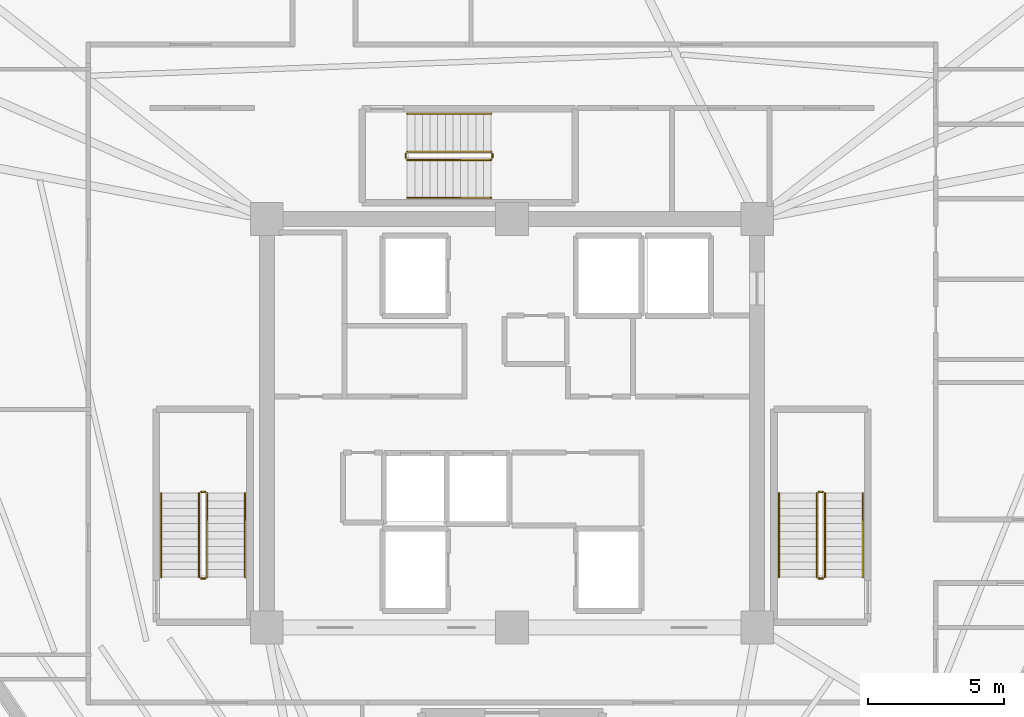
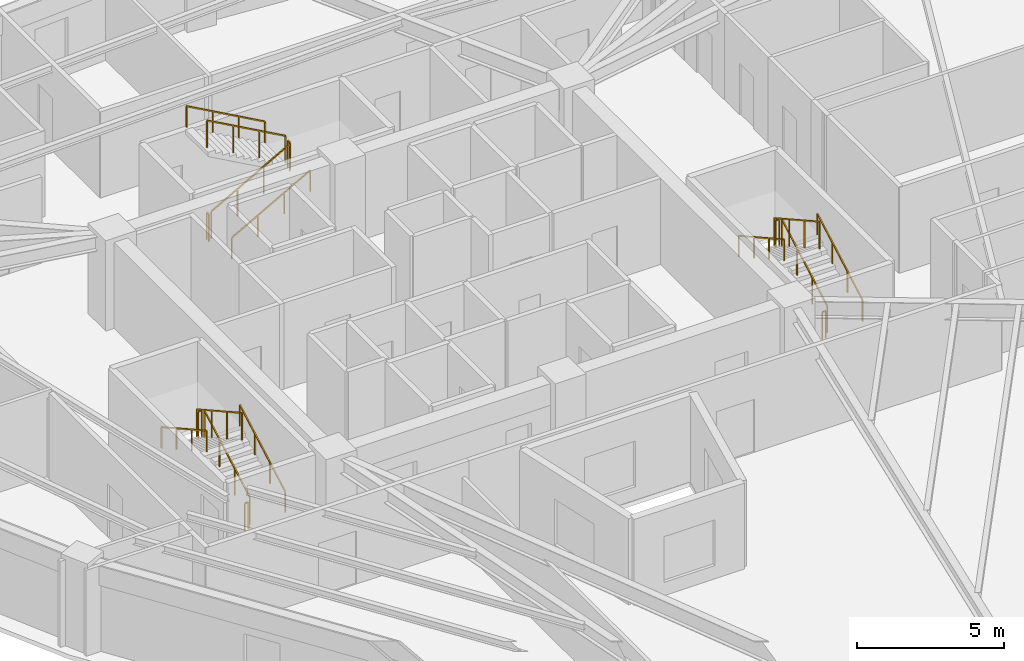
# One storey, part 8 of 8: 18 railings.
"""IFC4 building model written with IfcOpenShell, lengths in metres."""

from ifc_helpers import new_model, si_unit, direction, frame, origin, origin_2d, place, context, subcontext, project, spatial, rectangle, extrude, material, type_object, element, save


model = new_model("IFC4")

# Units and contexts
model_context = context("Model", 3, precision=1e-05, world=origin(), true_north=direction((0.0, 1.0)))
body_context = subcontext(model_context, "Body", "Model", "MODEL_VIEW")
ifc_project = project(units=[si_unit("LENGTHUNIT", "METRE"), si_unit("AREAUNIT", "SQUARE_METRE"), si_unit("VOLUMEUNIT", "CUBIC_METRE"), si_unit("PLANEANGLEUNIT", "RADIAN"), si_unit("MASSUNIT", "GRAM", prefix="KILO")], contexts=[model_context])

# Site, building, storey
site_placement = place(None, origin())
site = spatial("IfcSite", under=ifc_project, at=site_placement, CompositionType="ELEMENT")
building_placement = place(site_placement, origin())
building = spatial("IfcBuilding", under=site, at=building_placement, Name="Liaohun Quay Tower", CompositionType="ELEMENT")
storey_placement = place(building_placement, frame((0.0, 0.0, 343.5)))
storey = spatial("IfcBuildingStorey", under=building, at=storey_placement, Name="L89", CompositionType="ELEMENT", Elevation=343.5)

# Railings
ifc_material_1 = material(Name="Painted tubular steel", Category="steel")
railing_type_1 = type_object("IfcRailingType", Name="RLG-GUARD-STR", PredefinedType="GUARDRAIL", material=ifc_material_1)
railing_1_placement = place(storey_placement, frame((48.81005859375, 48.35009765625, 0.15625)))
element("IfcRailing", 1, at=railing_1_placement, inside=storey, type_object=railing_type_1, Name="L89 ST-1 stair guard 1", PredefinedType="GUARDRAIL", context=body_context, shape_type="SweptSolid", body=[
    extrude(rectangle(XDim=0.048095703125, YDim=0.048095703125, at=origin_2d()), frame((0.0, 0.0, 1.1259765625), z_axis=(0.0, 0.873225103656, 0.487317061414), x_axis=(-1.0, 0.0, 0.0)), (0.0, 0.0, 1.0), 3.52685546875),
    extrude(rectangle(XDim=0.0419921875, YDim=0.0419921875, at=origin_2d()), origin(), (0.0, 0.0, 1.0), 1.101806640625),
    extrude(rectangle(XDim=0.0419921875, YDim=0.0419921875, at=origin_2d()), frame((0.0, 1.026611328125, 0.572998046875)), (0.0, 0.0, 1.0), 1.101806640625),
    extrude(rectangle(XDim=0.0419921875, YDim=0.0419921875, at=origin_2d()), frame((0.0, 2.05322265625, 1.145751953125)), (0.0, 0.0, 1.0), 1.101806640625),
    extrude(rectangle(XDim=0.0419921875, YDim=0.0419921875, at=origin_2d()), frame((0.0, 3.079833984375, 1.71875)), (0.0, 0.0, 1.0), 1.101806640625),
])
railing_2_placement = place(storey_placement, frame((48.72998046875, 51.47998046875, 1.875)))
element("IfcRailing", 2, at=railing_2_placement, inside=storey, type_object=railing_type_1, Name="L89 ST-1 stair guard 2", PredefinedType="GUARDRAIL", context=body_context, shape_type="SweptSolid", body=[
    extrude(rectangle(XDim=0.048095703125, YDim=0.048095703125, at=origin_2d()), frame((0.0, 0.0, 1.1259765625), z_axis=(-1.0, 0.0, 0.0), x_axis=(0.0, -1.0, 0.0)), (0.0, 0.0, 1.0), 0.139892578125),
    extrude(rectangle(XDim=0.0419921875, YDim=0.0419921875, at=origin_2d()), origin(), (0.0, 0.0, 1.0), 1.101806640625),
    extrude(rectangle(XDim=0.0419921875, YDim=0.0419921875, at=origin_2d()), frame((-0.139892578125, 0.0, 0.0)), (0.0, 0.0, 1.0), 1.101806640625),
])
railing_3_placement = place(storey_placement, frame((48.510009765625, 51.429931640625, 2.03125)))
element("IfcRailing", 3, at=railing_3_placement, inside=storey, type_object=railing_type_1, Name="L89 ST-1 stair guard 3", PredefinedType="GUARDRAIL", context=body_context, shape_type="SweptSolid", body=[
    extrude(rectangle(XDim=0.048095703125, YDim=0.048095703125, at=origin_2d()), frame((0.0, 0.0, 1.1259765625), z_axis=(0.0, -0.873225103656, 0.487317061414), x_axis=(1.0, 0.0, 0.0)), (0.0, 0.0, 1.0), 3.52685546875),
    extrude(rectangle(XDim=0.0419921875, YDim=0.0419921875, at=origin_2d()), origin(), (0.0, 0.0, 1.0), 1.101806640625),
    extrude(rectangle(XDim=0.0419921875, YDim=0.0419921875, at=origin_2d()), frame((0.0, -1.026611328125, 0.572998046875)), (0.0, 0.0, 1.0), 1.101806640625),
    extrude(rectangle(XDim=0.0419921875, YDim=0.0419921875, at=origin_2d()), frame((0.0, -2.05322265625, 1.145751953125)), (0.0, 0.0, 1.0), 1.101806640625),
    extrude(rectangle(XDim=0.0419921875, YDim=0.0419921875, at=origin_2d()), frame((0.0, -3.079833984375, 1.71875)), (0.0, 0.0, 1.0), 1.101806640625),
])
railing_4_placement = place(storey_placement, frame((48.72998046875, 48.300048828125, 0.0)))
element("IfcRailing", 4, at=railing_4_placement, inside=storey, type_object=railing_type_1, Name="L89 ST-1 stair guard 4", PredefinedType="GUARDRAIL", context=body_context, shape_type="SweptSolid", body=[
    extrude(rectangle(XDim=0.048095703125, YDim=0.048095703125, at=origin_2d()), frame((0.0, 0.0, 1.1259765625), z_axis=(-1.0, 0.0, 0.0), x_axis=(0.0, -1.0, 0.0)), (0.0, 0.0, 1.0), 0.139892578125),
    extrude(rectangle(XDim=0.0419921875, YDim=0.0419921875, at=origin_2d()), origin(), (0.0, 0.0, 1.0), 1.101806640625),
    extrude(rectangle(XDim=0.0419921875, YDim=0.0419921875, at=origin_2d()), frame((-0.139892578125, 0.0, 0.0)), (0.0, 0.0, 1.0), 1.101806640625),
])
railing_5_placement = place(storey_placement, frame((71.489990234375, 48.35009765625, 0.15625)))
element("IfcRailing", 5, at=railing_5_placement, inside=storey, type_object=railing_type_1, Name="L89 ST-2 stair guard 1", PredefinedType="GUARDRAIL", context=body_context, shape_type="SweptSolid", body=[
    extrude(rectangle(XDim=0.048095703125, YDim=0.048095703125, at=origin_2d()), frame((0.0, 0.0, 1.1259765625), z_axis=(0.0, 0.873225103656, 0.487317061414), x_axis=(-1.0, 0.0, 0.0)), (0.0, 0.0, 1.0), 3.52685546875),
    extrude(rectangle(XDim=0.0419921875, YDim=0.0419921875, at=origin_2d()), origin(), (0.0, 0.0, 1.0), 1.101806640625),
    extrude(rectangle(XDim=0.0419921875, YDim=0.0419921875, at=origin_2d()), frame((0.0, 1.026611328125, 0.572998046875)), (0.0, 0.0, 1.0), 1.101806640625),
    extrude(rectangle(XDim=0.0419921875, YDim=0.0419921875, at=origin_2d()), frame((0.0, 2.05322265625, 1.145751953125)), (0.0, 0.0, 1.0), 1.101806640625),
    extrude(rectangle(XDim=0.0419921875, YDim=0.0419921875, at=origin_2d()), frame((0.0, 3.079833984375, 1.71875)), (0.0, 0.0, 1.0), 1.101806640625),
])
railing_6_placement = place(storey_placement, frame((71.409912109375, 51.47998046875, 1.875)))
element("IfcRailing", 6, at=railing_6_placement, inside=storey, type_object=railing_type_1, Name="L89 ST-2 stair guard 2", PredefinedType="GUARDRAIL", context=body_context, shape_type="SweptSolid", body=[
    extrude(rectangle(XDim=0.048095703125, YDim=0.048095703125, at=origin_2d()), frame((0.0, 0.0, 1.1259765625), z_axis=(-1.0, 0.0, 0.0), x_axis=(0.0, -1.0, 0.0)), (0.0, 0.0, 1.0), 0.139892578125),
    extrude(rectangle(XDim=0.0419921875, YDim=0.0419921875, at=origin_2d()), origin(), (0.0, 0.0, 1.0), 1.101806640625),
    extrude(rectangle(XDim=0.0419921875, YDim=0.0419921875, at=origin_2d()), frame((-0.139892578125, 0.0, 0.0)), (0.0, 0.0, 1.0), 1.101806640625),
])
railing_7_placement = place(storey_placement, frame((71.18994140625, 51.429931640625, 2.03125)))
element("IfcRailing", 7, at=railing_7_placement, inside=storey, type_object=railing_type_1, Name="L89 ST-2 stair guard 3", PredefinedType="GUARDRAIL", context=body_context, shape_type="SweptSolid", body=[
    extrude(rectangle(XDim=0.048095703125, YDim=0.048095703125, at=origin_2d()), frame((0.0, 0.0, 1.1259765625), z_axis=(0.0, -0.873225103656, 0.487317061414), x_axis=(1.0, 0.0, 0.0)), (0.0, 0.0, 1.0), 3.52685546875),
    extrude(rectangle(XDim=0.0419921875, YDim=0.0419921875, at=origin_2d()), origin(), (0.0, 0.0, 1.0), 1.101806640625),
    extrude(rectangle(XDim=0.0419921875, YDim=0.0419921875, at=origin_2d()), frame((0.0, -1.026611328125, 0.572998046875)), (0.0, 0.0, 1.0), 1.101806640625),
    extrude(rectangle(XDim=0.0419921875, YDim=0.0419921875, at=origin_2d()), frame((0.0, -2.05322265625, 1.145751953125)), (0.0, 0.0, 1.0), 1.101806640625),
    extrude(rectangle(XDim=0.0419921875, YDim=0.0419921875, at=origin_2d()), frame((0.0, -3.079833984375, 1.71875)), (0.0, 0.0, 1.0), 1.101806640625),
])
railing_8_placement = place(storey_placement, frame((71.409912109375, 48.300048828125, 0.0)))
element("IfcRailing", 8, at=railing_8_placement, inside=storey, type_object=railing_type_1, Name="L89 ST-2 stair guard 4", PredefinedType="GUARDRAIL", context=body_context, shape_type="SweptSolid", body=[
    extrude(rectangle(XDim=0.048095703125, YDim=0.048095703125, at=origin_2d()), frame((0.0, 0.0, 1.1259765625), z_axis=(-1.0, 0.0, 0.0), x_axis=(0.0, -1.0, 0.0)), (0.0, 0.0, 1.0), 0.139892578125),
    extrude(rectangle(XDim=0.0419921875, YDim=0.0419921875, at=origin_2d()), origin(), (0.0, 0.0, 1.0), 1.101806640625),
    extrude(rectangle(XDim=0.0419921875, YDim=0.0419921875, at=origin_2d()), frame((-0.139892578125, 0.0, 0.0)), (0.0, 0.0, 1.0), 1.101806640625),
])
railing_9_placement = place(storey_placement, frame((56.14990234375, 63.669921875, 0.15625)))
element("IfcRailing", 9, at=railing_9_placement, inside=storey, type_object=railing_type_1, Name="L89 ST-3 stair guard 1", PredefinedType="GUARDRAIL", context=body_context, shape_type="SweptSolid", body=[
    extrude(rectangle(XDim=0.048095703125, YDim=0.048095703125, at=origin_2d()), frame((0.0, 0.0, 1.1259765625), z_axis=(0.873241540666, 0.0, 0.487287606713), x_axis=(0.0, 1.0, 0.0)), (0.0, 0.0, 1.0), 3.527099609375),
    extrude(rectangle(XDim=0.0419921875, YDim=0.0419921875, at=origin_2d()), origin(), (0.0, 0.0, 1.0), 1.101806640625),
    extrude(rectangle(XDim=0.0419921875, YDim=0.0419921875, at=origin_2d()), frame((1.026611328125, 0.0, 0.572998046875)), (0.0, 0.0, 1.0), 1.101806640625),
    extrude(rectangle(XDim=0.0419921875, YDim=0.0419921875, at=origin_2d()), frame((2.053466796875, 0.0, 1.145751953125)), (0.0, 0.0, 1.0), 1.101806640625),
    extrude(rectangle(XDim=0.0419921875, YDim=0.0419921875, at=origin_2d()), frame((3.080078125, 0.0, 1.71875)), (0.0, 0.0, 1.0), 1.101806640625),
])
railing_10_placement = place(storey_placement, frame((59.280029296875, 63.75, 1.875)))
element("IfcRailing", 10, at=railing_10_placement, inside=storey, type_object=railing_type_1, Name="L89 ST-3 stair guard 2", PredefinedType="GUARDRAIL", context=body_context, shape_type="SweptSolid", body=[
    extrude(rectangle(XDim=0.048095703125, YDim=0.048095703125, at=origin_2d()), frame((0.0, 0.0, 1.1259765625), z_axis=(0.0, 1.0, 0.0), x_axis=(-1.0, 0.0, 0.0)), (0.0, 0.0, 1.0), 0.139892578125),
    extrude(rectangle(XDim=0.0419921875, YDim=0.0419921875, at=origin_2d()), origin(), (0.0, 0.0, 1.0), 1.101806640625),
    extrude(rectangle(XDim=0.0419921875, YDim=0.0419921875, at=origin_2d()), frame((0.0, 0.139892578125, 0.0)), (0.0, 0.0, 1.0), 1.101806640625),
])
railing_11_placement = place(storey_placement, frame((59.22998046875, 63.969970703125, 2.03125)))
element("IfcRailing", 11, at=railing_11_placement, inside=storey, type_object=railing_type_1, Name="L89 ST-3 stair guard 3", PredefinedType="GUARDRAIL", context=body_context, shape_type="SweptSolid", body=[
    extrude(rectangle(XDim=0.048095703125, YDim=0.048095703125, at=origin_2d()), frame((0.0, 0.0, 1.1259765625), z_axis=(-0.873241540666, 0.0, 0.487287606713), x_axis=(0.0, -1.0, 0.0)), (0.0, 0.0, 1.0), 3.527099609375),
    extrude(rectangle(XDim=0.0419921875, YDim=0.0419921875, at=origin_2d()), origin(), (0.0, 0.0, 1.0), 1.101806640625),
    extrude(rectangle(XDim=0.0419921875, YDim=0.0419921875, at=origin_2d()), frame((-1.026611328125, 0.0, 0.572998046875)), (0.0, 0.0, 1.0), 1.101806640625),
    extrude(rectangle(XDim=0.0419921875, YDim=0.0419921875, at=origin_2d()), frame((-2.053466796875, 0.0, 1.145751953125)), (0.0, 0.0, 1.0), 1.101806640625),
    extrude(rectangle(XDim=0.0419921875, YDim=0.0419921875, at=origin_2d()), frame((-3.080078125, 0.0, 1.71875)), (0.0, 0.0, 1.0), 1.101806640625),
])
railing_12_placement = place(storey_placement, frame((56.10009765625, 63.75, 0.0)))
element("IfcRailing", 12, at=railing_12_placement, inside=storey, type_object=railing_type_1, Name="L89 ST-3 stair guard 4", PredefinedType="GUARDRAIL", context=body_context, shape_type="SweptSolid", body=[
    extrude(rectangle(XDim=0.048095703125, YDim=0.048095703125, at=origin_2d()), frame((0.0, 0.0, 1.1259765625), z_axis=(0.0, 1.0, 0.0), x_axis=(-1.0, 0.0, 0.0)), (0.0, 0.0, 1.0), 0.139892578125),
    extrude(rectangle(XDim=0.0419921875, YDim=0.0419921875, at=origin_2d()), origin(), (0.0, 0.0, 1.0), 1.101806640625),
    extrude(rectangle(XDim=0.0419921875, YDim=0.0419921875, at=origin_2d()), frame((0.0, 0.139892578125, 0.0)), (0.0, 0.0, 1.0), 1.101806640625),
])
ifc_material_2 = material(Name="Brushed stainless steel", Category="steel")
railing_type_2 = type_object("IfcRailingType", Name="RLG-HND-STR", PredefinedType="HANDRAIL", material=ifc_material_2)
railing_13_placement = place(storey_placement, frame((50.199951171875, 48.35009765625, 0.15625)))
element("IfcRailing", 13, at=railing_13_placement, inside=storey, type_object=railing_type_2, Name="L89 ST-1 stair handrail 1", PredefinedType="HANDRAIL", context=body_context, shape_type="SweptSolid", body=[
    extrude(rectangle(XDim=0.048095703125, YDim=0.048095703125, at=origin_2d()), frame((0.0, 0.0, 0.8759765625), z_axis=(0.0, 0.873225103656, 0.487317061414), x_axis=(-1.0, 0.0, 0.0)), (0.0, 0.0, 1.0), 3.52685546875),
    extrude(rectangle(XDim=0.0419921875, YDim=0.0419921875, at=origin_2d()), origin(), (0.0, 0.0, 1.0), 0.851806640625),
    extrude(rectangle(XDim=0.0419921875, YDim=0.0419921875, at=origin_2d()), frame((0.0, 1.026611328125, 0.572998046875)), (0.0, 0.0, 1.0), 0.851806640625),
    extrude(rectangle(XDim=0.0419921875, YDim=0.0419921875, at=origin_2d()), frame((0.0, 2.05322265625, 1.145751953125)), (0.0, 0.0, 1.0), 0.851806640625),
    extrude(rectangle(XDim=0.0419921875, YDim=0.0419921875, at=origin_2d()), frame((0.0, 3.079833984375, 1.71875)), (0.0, 0.0, 1.0), 0.851806640625),
])
railing_14_placement = place(storey_placement, frame((47.1201171875, 51.429931640625, 2.03125)))
element("IfcRailing", 14, at=railing_14_placement, inside=storey, type_object=railing_type_2, Name="L89 ST-1 stair handrail 2", PredefinedType="HANDRAIL", context=body_context, shape_type="SweptSolid", body=[
    extrude(rectangle(XDim=0.048095703125, YDim=0.048095703125, at=origin_2d()), frame((0.0, 0.0, 0.8759765625), z_axis=(0.0, -0.873225103656, 0.487317061414), x_axis=(1.0, 0.0, 0.0)), (0.0, 0.0, 1.0), 3.52685546875),
    extrude(rectangle(XDim=0.0419921875, YDim=0.0419921875, at=origin_2d()), origin(), (0.0, 0.0, 1.0), 0.851806640625),
    extrude(rectangle(XDim=0.0419921875, YDim=0.0419921875, at=origin_2d()), frame((0.0, -1.026611328125, 0.572998046875)), (0.0, 0.0, 1.0), 0.851806640625),
    extrude(rectangle(XDim=0.0419921875, YDim=0.0419921875, at=origin_2d()), frame((0.0, -2.05322265625, 1.145751953125)), (0.0, 0.0, 1.0), 0.851806640625),
    extrude(rectangle(XDim=0.0419921875, YDim=0.0419921875, at=origin_2d()), frame((0.0, -3.079833984375, 1.71875)), (0.0, 0.0, 1.0), 0.851806640625),
])
railing_15_placement = place(storey_placement, frame((72.8798828125, 48.35009765625, 0.15625)))
element("IfcRailing", 15, at=railing_15_placement, inside=storey, type_object=railing_type_2, Name="L89 ST-2 stair handrail 1", PredefinedType="HANDRAIL", context=body_context, shape_type="SweptSolid", body=[
    extrude(rectangle(XDim=0.048095703125, YDim=0.048095703125, at=origin_2d()), frame((0.0, 0.0, 0.8759765625), z_axis=(0.0, 0.873225103656, 0.487317061414), x_axis=(-1.0, 0.0, 0.0)), (0.0, 0.0, 1.0), 3.52685546875),
    extrude(rectangle(XDim=0.0419921875, YDim=0.0419921875, at=origin_2d()), origin(), (0.0, 0.0, 1.0), 0.851806640625),
    extrude(rectangle(XDim=0.0419921875, YDim=0.0419921875, at=origin_2d()), frame((0.0, 1.026611328125, 0.572998046875)), (0.0, 0.0, 1.0), 0.851806640625),
    extrude(rectangle(XDim=0.0419921875, YDim=0.0419921875, at=origin_2d()), frame((0.0, 2.05322265625, 1.145751953125)), (0.0, 0.0, 1.0), 0.851806640625),
    extrude(rectangle(XDim=0.0419921875, YDim=0.0419921875, at=origin_2d()), frame((0.0, 3.079833984375, 1.71875)), (0.0, 0.0, 1.0), 0.851806640625),
])
railing_16_placement = place(storey_placement, frame((69.800048828125, 51.429931640625, 2.03125)))
element("IfcRailing", 16, at=railing_16_placement, inside=storey, type_object=railing_type_2, Name="L89 ST-2 stair handrail 2", PredefinedType="HANDRAIL", context=body_context, shape_type="SweptSolid", body=[
    extrude(rectangle(XDim=0.048095703125, YDim=0.048095703125, at=origin_2d()), frame((0.0, 0.0, 0.8759765625), z_axis=(0.0, -0.873225103656, 0.487317061414), x_axis=(1.0, 0.0, 0.0)), (0.0, 0.0, 1.0), 3.52685546875),
    extrude(rectangle(XDim=0.0419921875, YDim=0.0419921875, at=origin_2d()), origin(), (0.0, 0.0, 1.0), 0.851806640625),
    extrude(rectangle(XDim=0.0419921875, YDim=0.0419921875, at=origin_2d()), frame((0.0, -1.026611328125, 0.572998046875)), (0.0, 0.0, 1.0), 0.851806640625),
    extrude(rectangle(XDim=0.0419921875, YDim=0.0419921875, at=origin_2d()), frame((0.0, -2.05322265625, 1.145751953125)), (0.0, 0.0, 1.0), 0.851806640625),
    extrude(rectangle(XDim=0.0419921875, YDim=0.0419921875, at=origin_2d()), frame((0.0, -3.079833984375, 1.71875)), (0.0, 0.0, 1.0), 0.851806640625),
])
railing_17_placement = place(storey_placement, frame((56.14990234375, 62.280029296875, 0.15625)))
element("IfcRailing", 17, at=railing_17_placement, inside=storey, type_object=railing_type_2, Name="L89 ST-3 stair handrail 1", PredefinedType="HANDRAIL", context=body_context, shape_type="SweptSolid", body=[
    extrude(rectangle(XDim=0.048095703125, YDim=0.048095703125, at=origin_2d()), frame((0.0, 0.0, 0.8759765625), z_axis=(0.873241540666, 0.0, 0.487287606713), x_axis=(0.0, 1.0, 0.0)), (0.0, 0.0, 1.0), 3.527099609375),
    extrude(rectangle(XDim=0.0419921875, YDim=0.0419921875, at=origin_2d()), origin(), (0.0, 0.0, 1.0), 0.851806640625),
    extrude(rectangle(XDim=0.0419921875, YDim=0.0419921875, at=origin_2d()), frame((1.026611328125, 0.0, 0.572998046875)), (0.0, 0.0, 1.0), 0.851806640625),
    extrude(rectangle(XDim=0.0419921875, YDim=0.0419921875, at=origin_2d()), frame((2.053466796875, 0.0, 1.145751953125)), (0.0, 0.0, 1.0), 0.851806640625),
    extrude(rectangle(XDim=0.0419921875, YDim=0.0419921875, at=origin_2d()), frame((3.080078125, 0.0, 1.71875)), (0.0, 0.0, 1.0), 0.851806640625),
])
railing_18_placement = place(storey_placement, frame((59.22998046875, 65.360107421875, 2.03125)))
element("IfcRailing", 18, at=railing_18_placement, inside=storey, type_object=railing_type_2, Name="L89 ST-3 stair handrail 2", PredefinedType="HANDRAIL", context=body_context, shape_type="SweptSolid", body=[
    extrude(rectangle(XDim=0.048095703125, YDim=0.048095703125, at=origin_2d()), frame((0.0, 0.0, 0.8759765625), z_axis=(-0.873241540666, 0.0, 0.487287606713), x_axis=(0.0, -1.0, 0.0)), (0.0, 0.0, 1.0), 3.527099609375),
    extrude(rectangle(XDim=0.0419921875, YDim=0.0419921875, at=origin_2d()), origin(), (0.0, 0.0, 1.0), 0.851806640625),
    extrude(rectangle(XDim=0.0419921875, YDim=0.0419921875, at=origin_2d()), frame((-1.026611328125, 0.0, 0.572998046875)), (0.0, 0.0, 1.0), 0.851806640625),
    extrude(rectangle(XDim=0.0419921875, YDim=0.0419921875, at=origin_2d()), frame((-2.053466796875, 0.0, 1.145751953125)), (0.0, 0.0, 1.0), 0.851806640625),
    extrude(rectangle(XDim=0.0419921875, YDim=0.0419921875, at=origin_2d()), frame((-3.080078125, 0.0, 1.71875)), (0.0, 0.0, 1.0), 0.851806640625),
])

save(model, "model.ifc")
